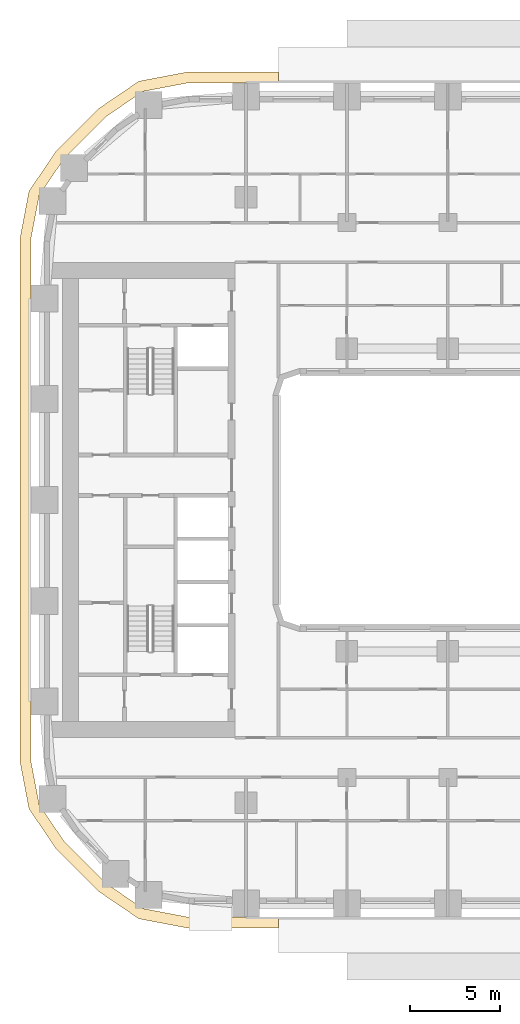
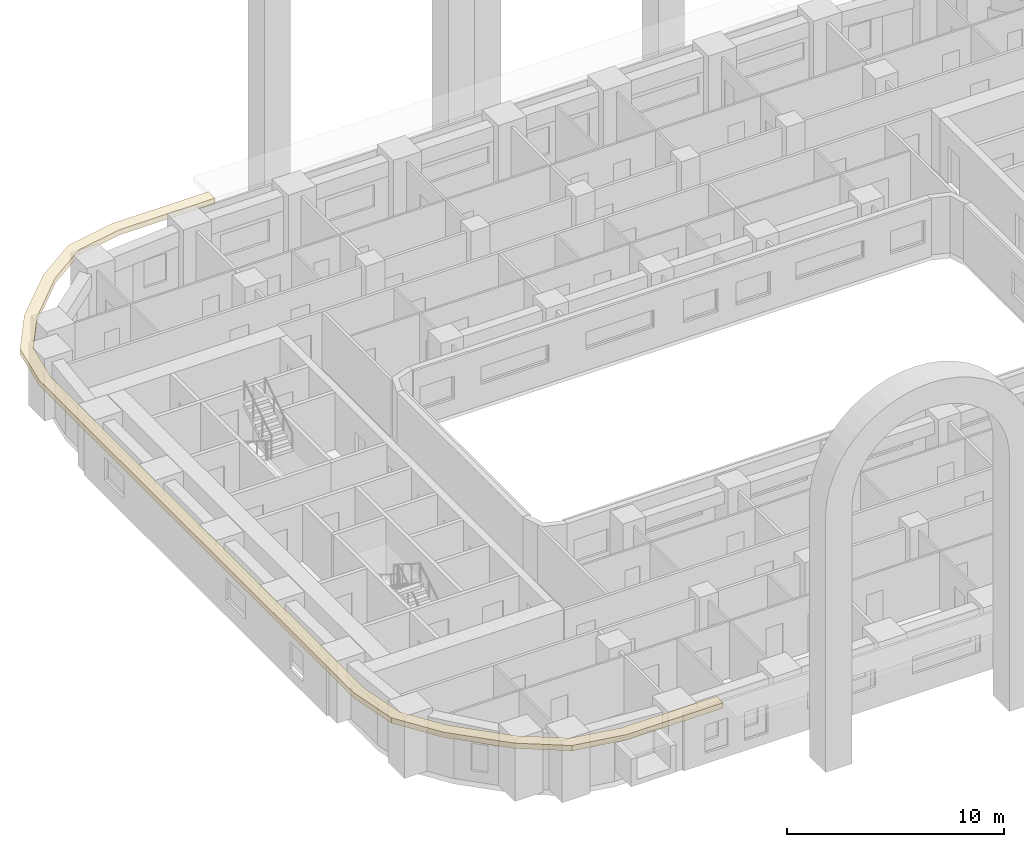
# One storey, part 13 of 21: 1 covering.
"""IFC4 building model written with IfcOpenShell, lengths in metres."""

from ifc_helpers import new_model, si_unit, direction, frame, origin, place, context, subcontext, project, spatial, polyline, outline, extrude, material, layer, layer_set, type_object, element, save


model = new_model("IFC4")

# Units and contexts
model_context = context("Model", 3, precision=1e-05, world=origin(), true_north=direction((0.0, 1.0)))
body_context = subcontext(model_context, "Body", "Model", "MODEL_VIEW")
ifc_project = project(units=[si_unit("LENGTHUNIT", "METRE"), si_unit("AREAUNIT", "SQUARE_METRE"), si_unit("VOLUMEUNIT", "CUBIC_METRE"), si_unit("PLANEANGLEUNIT", "RADIAN"), si_unit("MASSUNIT", "GRAM", prefix="KILO")], contexts=[model_context])

# Site, building, storey
site_placement = place(None, origin())
site = spatial("IfcSite", under=ifc_project, at=site_placement, CompositionType="ELEMENT")
building_placement = place(site_placement, origin())
building = spatial("IfcBuilding", under=site, at=building_placement, Name="Kiln Ring Residences", CompositionType="ELEMENT")
storey_placement = place(building_placement, frame((0.0, 0.0, 51.5)))
storey = spatial("IfcBuildingStorey", under=building, at=storey_placement, Name="L12", CompositionType="ELEMENT", Elevation=51.5)

# Covering
ifc_material = material(Name="Black powder-coated steel", Category="steel")
ifc_layer = layer(ifc_material, 0.300048828125)
ifc_layer_set = layer_set([ifc_layer], Name="SUNSHADE FIN 600")
covering_type = type_object("IfcCoveringType", Name="SUNSHADE FIN 600", PredefinedType="CLADDING", material=ifc_layer_set)
covering_placement = place(storey_placement, frame((0.0, 0.0, 3.199951171875)))
element("IfcCovering", 1, at=covering_placement, inside=storey, type_object=covering_type, Name="SUNSHADE FIN L12", PredefinedType="CLADDING", context=body_context, shape_type="SweptSolid", body=[
    extrude(outline(polyline([(-29.35009765625, -14.527587890625), (-28.849365234375, -17.15185546875), (-27.347900390625, -19.361328125), (-24.96142578125, -21.747802734375), (-22.751953125, -23.24951171875), (-20.127685546875, -23.75), (-15.0, -23.75), (-15.0, -23.14990234375), (-20.07080078125, -23.14990234375), (-22.517333984375, -22.683349609375), (-24.577392578125, -21.283447265625), (-26.88330078125, -18.977294921875), (-28.283447265625, -16.91748046875), (-28.75, -14.470947265625), (-28.75, 14.470947265625), (-28.283447265625, 16.91748046875), (-26.88330078125, 18.977294921875), (-24.577392578125, 21.283447265625), (-22.517333984375, 22.683349609375), (-20.07080078125, 23.14990234375), (-15.0, 23.14990234375), (-15.0, 23.75), (-20.127685546875, 23.75), (-22.751953125, 23.24951171875), (-24.96142578125, 21.747802734375), (-27.347900390625, 19.361328125), (-28.849365234375, 17.15185546875), (-29.35009765625, 14.527587890625), (-29.35009765625, -14.527587890625)])), origin(), (0.0, 0.0, 1.0), 0.300048828125),
])

save(model, "model.ifc")
